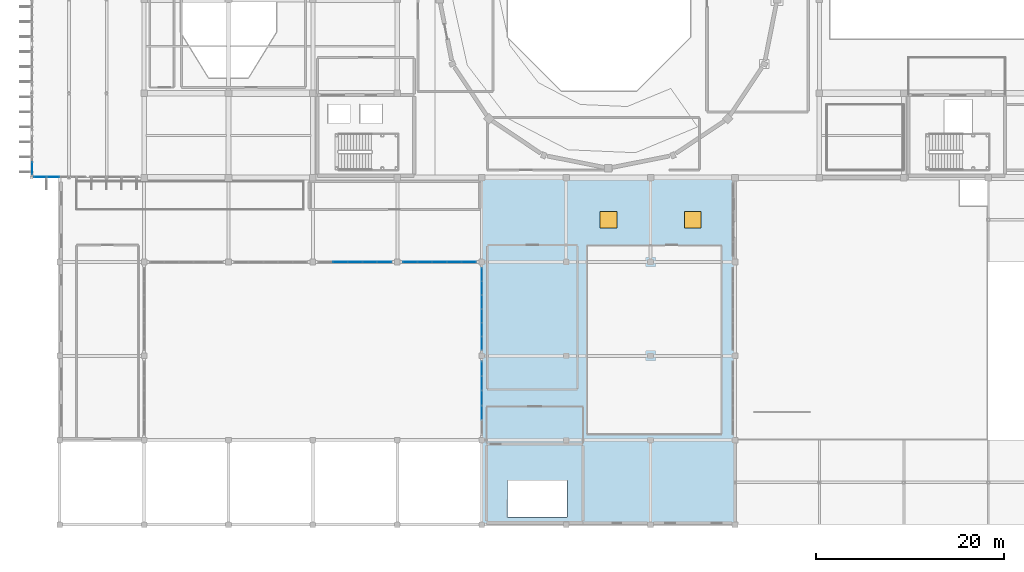
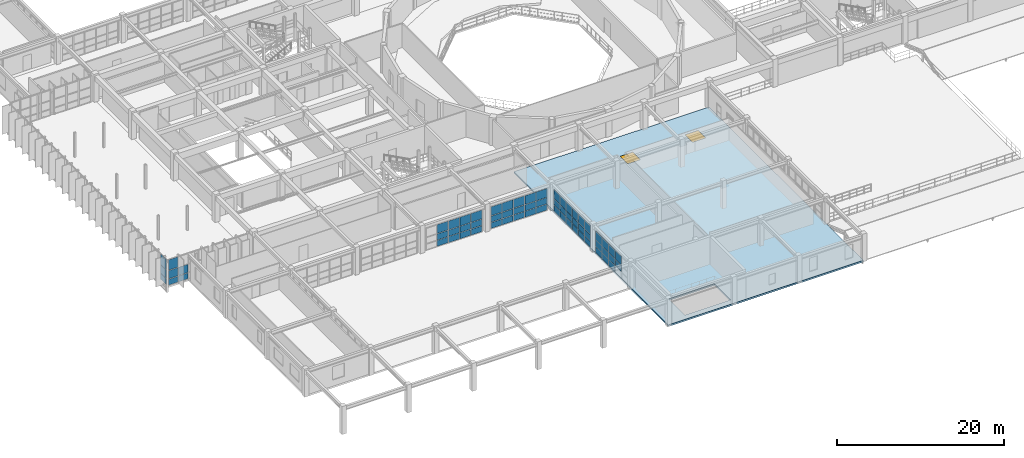
# One storey, part 80 of 110: 64 plates, 2 windows, 1 slab, 2 openings, 6 elements without a shape of their own.
"""IFC4 building model written with IfcOpenShell, lengths in metres."""

from ifc_helpers import new_model, si_unit, direction, frame, origin, origin_2d, place, context, subcontext, project, spatial, polyline, rectangle, outline, extrude, material, layer, layer_set, type_object, element, fill, aggregate, save


model = new_model("IFC4")

# Units and contexts
model_context = context("Model", 3, precision=1e-05, world=origin(), true_north=direction((0.0, 1.0)))
body_context = subcontext(model_context, "Body", "Model", "MODEL_VIEW")
ifc_project = project(units=[si_unit("LENGTHUNIT", "METRE"), si_unit("AREAUNIT", "SQUARE_METRE"), si_unit("VOLUMEUNIT", "CUBIC_METRE"), si_unit("PLANEANGLEUNIT", "RADIAN"), si_unit("MASSUNIT", "GRAM", prefix="KILO")], contexts=[model_context])

# Site, building, storey
site_placement = place(None, origin())
site = spatial("IfcSite", under=ifc_project, at=site_placement, CompositionType="ELEMENT")
building_placement = place(site_placement, origin())
building = spatial("IfcBuilding", under=site, at=building_placement, Name="Miravela Opera House", CompositionType="ELEMENT")
storey_placement = place(building_placement, frame((0.0, 0.0, 13.60009765625)))
storey = spatial("IfcBuildingStorey", under=building, at=storey_placement, Name="L03", CompositionType="ELEMENT", Elevation=13.60009765625)

# Curtain wall, plates
ifc_material_1 = material(Name="Anodised architectural bronze aluminium 6063-T6", Category="aluminium")
curtain_wall_type_1 = type_object("IfcCurtainWallType", Name="ARC-CW-06", PredefinedType="NOTDEFINED", material=ifc_material_1)
curtain_wall_1_placement = place(storey_placement, origin())
curtain_wall_1 = element("IfcCurtainWall", 1, at=curtain_wall_1_placement, inside=storey, type_object=curtain_wall_type_1, Name="Courtyard Arcade Curtain Wall CW-L03-150", PredefinedType="NOTDEFINED")
ifc_material_2 = material(Name="Acoustic laminated low-E insulating glass", Category="glass")
ifc_layer_1 = layer(ifc_material_2, 0.028076171875)
ifc_layer_set_1 = layer_set([ifc_layer_1])
plate_type_1 = type_object("IfcPlateType", Name="ARC-CWP-28", PredefinedType="CURTAIN_PANEL", material=ifc_layer_set_1)
plate_1_placement = place(storey_placement, frame((47.931884765625, 28.0, 0.06005859375), z_axis=(0.0, 0.0, 1.0), x_axis=(1.0, 0.0, 0.0)))
plate_1 = element("IfcPlate", 2, at=plate_1_placement, type_object=plate_type_1, Name="CW-06 panel 2.1", PredefinedType="CURTAIN_PANEL", context=body_context, shape_type="SweptSolid", body=[
    extrude(rectangle(XDim=1.508056640625, YDim=0.028076171875, at=origin_2d()), origin(), (0.0, 0.0, 1.0), 0.860107421875),
])
plate_2_placement = place(storey_placement, frame((47.931884765625, 28.0, 0.97998046875), z_axis=(0.0, 0.0, 1.0), x_axis=(1.0, 0.0, 0.0)))
plate_2 = element("IfcPlate", 3, at=plate_2_placement, type_object=plate_type_1, Name="CW-06 panel 2.2", PredefinedType="CURTAIN_PANEL", context=body_context, shape_type="SweptSolid", body=[
    extrude(rectangle(XDim=1.508056640625, YDim=0.028076171875, at=origin_2d()), origin(), (0.0, 0.0, 1.0), 0.898193359375),
])
plate_3_placement = place(storey_placement, frame((47.931884765625, 28.0, 1.93798828125), z_axis=(0.0, 0.0, 1.0), x_axis=(1.0, 0.0, 0.0)))
plate_3 = element("IfcPlate", 4, at=plate_3_placement, type_object=plate_type_1, Name="CW-06 panel 2.3", PredefinedType="CURTAIN_PANEL", context=body_context, shape_type="SweptSolid", body=[
    extrude(rectangle(XDim=1.508056640625, YDim=0.028076171875, at=origin_2d()), origin(), (0.0, 0.0, 1.0), 1.291748046875),
])
plate_4_placement = place(storey_placement, frame((49.5, 28.0, 0.06005859375), z_axis=(0.0, 0.0, 1.0), x_axis=(1.0, 0.0, 0.0)))
plate_4 = element("IfcPlate", 5, at=plate_4_placement, type_object=plate_type_1, Name="CW-06 panel 3.1", PredefinedType="CURTAIN_PANEL", context=body_context, shape_type="SweptSolid", body=[
    extrude(rectangle(XDim=1.508056640625, YDim=0.028076171875, at=origin_2d()), origin(), (0.0, 0.0, 1.0), 0.860107421875),
])
plate_5_placement = place(storey_placement, frame((49.5, 28.0, 0.97998046875), z_axis=(0.0, 0.0, 1.0), x_axis=(1.0, 0.0, 0.0)))
plate_5 = element("IfcPlate", 6, at=plate_5_placement, type_object=plate_type_1, Name="CW-06 panel 3.2", PredefinedType="CURTAIN_PANEL", context=body_context, shape_type="SweptSolid", body=[
    extrude(rectangle(XDim=1.508056640625, YDim=0.028076171875, at=origin_2d()), origin(), (0.0, 0.0, 1.0), 0.898193359375),
])
plate_6_placement = place(storey_placement, frame((49.5, 28.0, 1.93798828125), z_axis=(0.0, 0.0, 1.0), x_axis=(1.0, 0.0, 0.0)))
plate_6 = element("IfcPlate", 7, at=plate_6_placement, type_object=plate_type_1, Name="CW-06 panel 3.3", PredefinedType="CURTAIN_PANEL", context=body_context, shape_type="SweptSolid", body=[
    extrude(rectangle(XDim=1.508056640625, YDim=0.028076171875, at=origin_2d()), origin(), (0.0, 0.0, 1.0), 1.291748046875),
])
plate_7_placement = place(storey_placement, frame((51.068115234375, 28.0, 0.06005859375), z_axis=(0.0, 0.0, 1.0), x_axis=(1.0, 0.0, 0.0)))
plate_7 = element("IfcPlate", 8, at=plate_7_placement, type_object=plate_type_1, Name="CW-06 panel 4.1", PredefinedType="CURTAIN_PANEL", context=body_context, shape_type="SweptSolid", body=[
    extrude(rectangle(XDim=1.508056640625, YDim=0.028076171875, at=origin_2d()), origin(), (0.0, 0.0, 1.0), 0.860107421875),
])
plate_8_placement = place(storey_placement, frame((51.068115234375, 28.0, 0.97998046875), z_axis=(0.0, 0.0, 1.0), x_axis=(1.0, 0.0, 0.0)))
plate_8 = element("IfcPlate", 9, at=plate_8_placement, type_object=plate_type_1, Name="CW-06 panel 4.2", PredefinedType="CURTAIN_PANEL", context=body_context, shape_type="SweptSolid", body=[
    extrude(rectangle(XDim=1.508056640625, YDim=0.028076171875, at=origin_2d()), origin(), (0.0, 0.0, 1.0), 0.898193359375),
])
plate_9_placement = place(storey_placement, frame((51.068115234375, 28.0, 1.93798828125), z_axis=(0.0, 0.0, 1.0), x_axis=(1.0, 0.0, 0.0)))
plate_9 = element("IfcPlate", 10, at=plate_9_placement, type_object=plate_type_1, Name="CW-06 panel 4.3", PredefinedType="CURTAIN_PANEL", context=body_context, shape_type="SweptSolid", body=[
    extrude(rectangle(XDim=1.508056640625, YDim=0.028076171875, at=origin_2d()), origin(), (0.0, 0.0, 1.0), 1.291748046875),
])
plate_10_placement = place(storey_placement, frame((52.62109375, 28.0, 0.06005859375), z_axis=(0.0, 0.0, 1.0), x_axis=(1.0, 0.0, 0.0)))
plate_10 = element("IfcPlate", 11, at=plate_10_placement, type_object=plate_type_1, Name="CW-06 panel 5.1", PredefinedType="CURTAIN_PANEL", context=body_context, shape_type="SweptSolid", body=[
    extrude(rectangle(XDim=1.47802734375, YDim=0.028076171875, at=origin_2d()), origin(), (0.0, 0.0, 1.0), 0.860107421875),
])
plate_11_placement = place(storey_placement, frame((52.62109375, 28.0, 0.97998046875), z_axis=(0.0, 0.0, 1.0), x_axis=(1.0, 0.0, 0.0)))
plate_11 = element("IfcPlate", 12, at=plate_11_placement, type_object=plate_type_1, Name="CW-06 panel 5.2", PredefinedType="CURTAIN_PANEL", context=body_context, shape_type="SweptSolid", body=[
    extrude(rectangle(XDim=1.47802734375, YDim=0.028076171875, at=origin_2d()), origin(), (0.0, 0.0, 1.0), 0.898193359375),
])
plate_12_placement = place(storey_placement, frame((52.62109375, 28.0, 1.93798828125), z_axis=(0.0, 0.0, 1.0), x_axis=(1.0, 0.0, 0.0)))
plate_12 = element("IfcPlate", 13, at=plate_12_placement, type_object=plate_type_1, Name="CW-06 panel 5.3", PredefinedType="CURTAIN_PANEL", context=body_context, shape_type="SweptSolid", body=[
    extrude(rectangle(XDim=1.47802734375, YDim=0.028076171875, at=origin_2d()), origin(), (0.0, 0.0, 1.0), 1.291748046875),
])
aggregate(curtain_wall_1, [plate_1, plate_2, plate_3, plate_4, plate_5, plate_6, plate_7, plate_8, plate_9, plate_10, plate_11, plate_12])

curtain_wall_2_placement = place(storey_placement, origin())
curtain_wall_2 = element("IfcCurtainWall", 14, at=curtain_wall_2_placement, inside=storey, type_object=curtain_wall_type_1, Name="Courtyard Arcade Curtain Wall CW-L03-151", PredefinedType="NOTDEFINED")
plate_13_placement = place(storey_placement, frame((55.37890625, 28.0, 0.06005859375), z_axis=(0.0, 0.0, 1.0), x_axis=(1.0, 0.0, 0.0)))
plate_13 = element("IfcPlate", 15, at=plate_13_placement, type_object=plate_type_1, Name="CW-06 panel 1.1", PredefinedType="CURTAIN_PANEL", context=body_context, shape_type="SweptSolid", body=[
    extrude(rectangle(XDim=1.47802734375, YDim=0.028076171875, at=origin_2d()), origin(), (0.0, 0.0, 1.0), 0.860107421875),
])
plate_14_placement = place(storey_placement, frame((55.37890625, 28.0, 0.97998046875), z_axis=(0.0, 0.0, 1.0), x_axis=(1.0, 0.0, 0.0)))
plate_14 = element("IfcPlate", 16, at=plate_14_placement, type_object=plate_type_1, Name="CW-06 panel 1.2", PredefinedType="CURTAIN_PANEL", context=body_context, shape_type="SweptSolid", body=[
    extrude(rectangle(XDim=1.47802734375, YDim=0.028076171875, at=origin_2d()), origin(), (0.0, 0.0, 1.0), 0.898193359375),
])
plate_15_placement = place(storey_placement, frame((55.37890625, 28.0, 1.93798828125), z_axis=(0.0, 0.0, 1.0), x_axis=(1.0, 0.0, 0.0)))
plate_15 = element("IfcPlate", 17, at=plate_15_placement, type_object=plate_type_1, Name="CW-06 panel 1.3", PredefinedType="CURTAIN_PANEL", context=body_context, shape_type="SweptSolid", body=[
    extrude(rectangle(XDim=1.47802734375, YDim=0.028076171875, at=origin_2d()), origin(), (0.0, 0.0, 1.0), 1.291748046875),
])
plate_16_placement = place(storey_placement, frame((56.931884765625, 28.0, 0.06005859375), z_axis=(0.0, 0.0, 1.0), x_axis=(1.0, 0.0, 0.0)))
plate_16 = element("IfcPlate", 18, at=plate_16_placement, type_object=plate_type_1, Name="CW-06 panel 2.1", PredefinedType="CURTAIN_PANEL", context=body_context, shape_type="SweptSolid", body=[
    extrude(rectangle(XDim=1.508056640625, YDim=0.028076171875, at=origin_2d()), origin(), (0.0, 0.0, 1.0), 0.860107421875),
])
plate_17_placement = place(storey_placement, frame((56.931884765625, 28.0, 0.97998046875), z_axis=(0.0, 0.0, 1.0), x_axis=(1.0, 0.0, 0.0)))
plate_17 = element("IfcPlate", 19, at=plate_17_placement, type_object=plate_type_1, Name="CW-06 panel 2.2", PredefinedType="CURTAIN_PANEL", context=body_context, shape_type="SweptSolid", body=[
    extrude(rectangle(XDim=1.508056640625, YDim=0.028076171875, at=origin_2d()), origin(), (0.0, 0.0, 1.0), 0.898193359375),
])
plate_18_placement = place(storey_placement, frame((56.931884765625, 28.0, 1.93798828125), z_axis=(0.0, 0.0, 1.0), x_axis=(1.0, 0.0, 0.0)))
plate_18 = element("IfcPlate", 20, at=plate_18_placement, type_object=plate_type_1, Name="CW-06 panel 2.3", PredefinedType="CURTAIN_PANEL", context=body_context, shape_type="SweptSolid", body=[
    extrude(rectangle(XDim=1.508056640625, YDim=0.028076171875, at=origin_2d()), origin(), (0.0, 0.0, 1.0), 1.291748046875),
])
plate_19_placement = place(storey_placement, frame((58.5, 28.0, 0.06005859375), z_axis=(0.0, 0.0, 1.0), x_axis=(1.0, 0.0, 0.0)))
plate_19 = element("IfcPlate", 21, at=plate_19_placement, type_object=plate_type_1, Name="CW-06 panel 3.1", PredefinedType="CURTAIN_PANEL", context=body_context, shape_type="SweptSolid", body=[
    extrude(rectangle(XDim=1.508056640625, YDim=0.028076171875, at=origin_2d()), origin(), (0.0, 0.0, 1.0), 0.860107421875),
])
plate_20_placement = place(storey_placement, frame((58.5, 28.0, 0.97998046875), z_axis=(0.0, 0.0, 1.0), x_axis=(1.0, 0.0, 0.0)))
plate_20 = element("IfcPlate", 22, at=plate_20_placement, type_object=plate_type_1, Name="CW-06 panel 3.2", PredefinedType="CURTAIN_PANEL", context=body_context, shape_type="SweptSolid", body=[
    extrude(rectangle(XDim=1.508056640625, YDim=0.028076171875, at=origin_2d()), origin(), (0.0, 0.0, 1.0), 0.898193359375),
])
plate_21_placement = place(storey_placement, frame((58.5, 28.0, 1.93798828125), z_axis=(0.0, 0.0, 1.0), x_axis=(1.0, 0.0, 0.0)))
plate_21 = element("IfcPlate", 23, at=plate_21_placement, type_object=plate_type_1, Name="CW-06 panel 3.3", PredefinedType="CURTAIN_PANEL", context=body_context, shape_type="SweptSolid", body=[
    extrude(rectangle(XDim=1.508056640625, YDim=0.028076171875, at=origin_2d()), origin(), (0.0, 0.0, 1.0), 1.291748046875),
])
plate_22_placement = place(storey_placement, frame((60.068115234375, 28.0, 0.06005859375), z_axis=(0.0, 0.0, 1.0), x_axis=(1.0, 0.0, 0.0)))
plate_22 = element("IfcPlate", 24, at=plate_22_placement, type_object=plate_type_1, Name="CW-06 panel 4.1", PredefinedType="CURTAIN_PANEL", context=body_context, shape_type="SweptSolid", body=[
    extrude(rectangle(XDim=1.508056640625, YDim=0.028076171875, at=origin_2d()), origin(), (0.0, 0.0, 1.0), 0.860107421875),
])
plate_23_placement = place(storey_placement, frame((60.068115234375, 28.0, 0.97998046875), z_axis=(0.0, 0.0, 1.0), x_axis=(1.0, 0.0, 0.0)))
plate_23 = element("IfcPlate", 25, at=plate_23_placement, type_object=plate_type_1, Name="CW-06 panel 4.2", PredefinedType="CURTAIN_PANEL", context=body_context, shape_type="SweptSolid", body=[
    extrude(rectangle(XDim=1.508056640625, YDim=0.028076171875, at=origin_2d()), origin(), (0.0, 0.0, 1.0), 0.898193359375),
])
plate_24_placement = place(storey_placement, frame((60.068115234375, 28.0, 1.93798828125), z_axis=(0.0, 0.0, 1.0), x_axis=(1.0, 0.0, 0.0)))
plate_24 = element("IfcPlate", 26, at=plate_24_placement, type_object=plate_type_1, Name="CW-06 panel 4.3", PredefinedType="CURTAIN_PANEL", context=body_context, shape_type="SweptSolid", body=[
    extrude(rectangle(XDim=1.508056640625, YDim=0.028076171875, at=origin_2d()), origin(), (0.0, 0.0, 1.0), 1.291748046875),
])
plate_25_placement = place(storey_placement, frame((61.62109375, 28.0, 0.06005859375), z_axis=(0.0, 0.0, 1.0), x_axis=(1.0, 0.0, 0.0)))
plate_25 = element("IfcPlate", 27, at=plate_25_placement, type_object=plate_type_1, Name="CW-06 panel 5.1", PredefinedType="CURTAIN_PANEL", context=body_context, shape_type="SweptSolid", body=[
    extrude(rectangle(XDim=1.47802734375, YDim=0.028076171875, at=origin_2d()), origin(), (0.0, 0.0, 1.0), 0.860107421875),
])
plate_26_placement = place(storey_placement, frame((61.62109375, 28.0, 0.97998046875), z_axis=(0.0, 0.0, 1.0), x_axis=(1.0, 0.0, 0.0)))
plate_26 = element("IfcPlate", 28, at=plate_26_placement, type_object=plate_type_1, Name="CW-06 panel 5.2", PredefinedType="CURTAIN_PANEL", context=body_context, shape_type="SweptSolid", body=[
    extrude(rectangle(XDim=1.47802734375, YDim=0.028076171875, at=origin_2d()), origin(), (0.0, 0.0, 1.0), 0.898193359375),
])
plate_27_placement = place(storey_placement, frame((61.62109375, 28.0, 1.93798828125), z_axis=(0.0, 0.0, 1.0), x_axis=(1.0, 0.0, 0.0)))
plate_27 = element("IfcPlate", 29, at=plate_27_placement, type_object=plate_type_1, Name="CW-06 panel 5.3", PredefinedType="CURTAIN_PANEL", context=body_context, shape_type="SweptSolid", body=[
    extrude(rectangle(XDim=1.47802734375, YDim=0.028076171875, at=origin_2d()), origin(), (0.0, 0.0, 1.0), 1.291748046875),
])
aggregate(curtain_wall_2, [plate_13, plate_14, plate_15, plate_16, plate_17, plate_18, plate_19, plate_20, plate_21, plate_22, plate_23, plate_24, plate_25, plate_26, plate_27])

curtain_wall_3_placement = place(storey_placement, origin())
curtain_wall_3 = element("IfcCurtainWall", 30, at=curtain_wall_3_placement, inside=storey, type_object=curtain_wall_type_1, Name="Courtyard Arcade Curtain Wall CW-L03-154", PredefinedType="NOTDEFINED")
plate_28_placement = place(storey_placement, frame((63.0, 11.931884765625, 0.97998046875), z_axis=(0.0, 0.0, 1.0), x_axis=(0.0, 1.0, 0.0)))
plate_28 = element("IfcPlate", 31, at=plate_28_placement, type_object=plate_type_1, Name="CW-06 panel 2.2", PredefinedType="CURTAIN_PANEL", context=body_context, shape_type="SweptSolid", body=[
    extrude(rectangle(XDim=1.508056640625, YDim=0.028076171875, at=origin_2d()), origin(), (0.0, 0.0, 1.0), 0.898193359375),
])
plate_29_placement = place(storey_placement, frame((63.0, 11.931884765625, 1.93798828125), z_axis=(0.0, 0.0, 1.0), x_axis=(0.0, 1.0, 0.0)))
plate_29 = element("IfcPlate", 32, at=plate_29_placement, type_object=plate_type_1, Name="CW-06 panel 2.3", PredefinedType="CURTAIN_PANEL", context=body_context, shape_type="SweptSolid", body=[
    extrude(rectangle(XDim=1.508056640625, YDim=0.028076171875, at=origin_2d()), origin(), (0.0, 0.0, 1.0), 1.291748046875),
])
plate_30_placement = place(storey_placement, frame((63.0, 13.5, 0.06005859375), z_axis=(0.0, 0.0, 1.0), x_axis=(0.0, 1.0, 0.0)))
plate_30 = element("IfcPlate", 33, at=plate_30_placement, type_object=plate_type_1, Name="CW-06 panel 3.1", PredefinedType="CURTAIN_PANEL", context=body_context, shape_type="SweptSolid", body=[
    extrude(rectangle(XDim=1.508056640625, YDim=0.028076171875, at=origin_2d()), origin(), (0.0, 0.0, 1.0), 0.860107421875),
])
plate_31_placement = place(storey_placement, frame((63.0, 13.5, 0.97998046875), z_axis=(0.0, 0.0, 1.0), x_axis=(0.0, 1.0, 0.0)))
plate_31 = element("IfcPlate", 34, at=plate_31_placement, type_object=plate_type_1, Name="CW-06 panel 3.2", PredefinedType="CURTAIN_PANEL", context=body_context, shape_type="SweptSolid", body=[
    extrude(rectangle(XDim=1.508056640625, YDim=0.028076171875, at=origin_2d()), origin(), (0.0, 0.0, 1.0), 0.898193359375),
])
plate_32_placement = place(storey_placement, frame((63.0, 13.5, 1.93798828125), z_axis=(0.0, 0.0, 1.0), x_axis=(0.0, 1.0, 0.0)))
plate_32 = element("IfcPlate", 35, at=plate_32_placement, type_object=plate_type_1, Name="CW-06 panel 3.3", PredefinedType="CURTAIN_PANEL", context=body_context, shape_type="SweptSolid", body=[
    extrude(rectangle(XDim=1.508056640625, YDim=0.028076171875, at=origin_2d()), origin(), (0.0, 0.0, 1.0), 1.291748046875),
])
plate_33_placement = place(storey_placement, frame((63.0, 15.068115234375, 0.06005859375), z_axis=(0.0, 0.0, 1.0), x_axis=(0.0, 1.0, 0.0)))
plate_33 = element("IfcPlate", 36, at=plate_33_placement, type_object=plate_type_1, Name="CW-06 panel 4.1", PredefinedType="CURTAIN_PANEL", context=body_context, shape_type="SweptSolid", body=[
    extrude(rectangle(XDim=1.508056640625, YDim=0.028076171875, at=origin_2d()), origin(), (0.0, 0.0, 1.0), 0.860107421875),
])
plate_34_placement = place(storey_placement, frame((63.0, 15.068115234375, 0.97998046875), z_axis=(0.0, 0.0, 1.0), x_axis=(0.0, 1.0, 0.0)))
plate_34 = element("IfcPlate", 37, at=plate_34_placement, type_object=plate_type_1, Name="CW-06 panel 4.2", PredefinedType="CURTAIN_PANEL", context=body_context, shape_type="SweptSolid", body=[
    extrude(rectangle(XDim=1.508056640625, YDim=0.028076171875, at=origin_2d()), origin(), (0.0, 0.0, 1.0), 0.898193359375),
])
plate_35_placement = place(storey_placement, frame((63.0, 15.068115234375, 1.93798828125), z_axis=(0.0, 0.0, 1.0), x_axis=(0.0, 1.0, 0.0)))
plate_35 = element("IfcPlate", 38, at=plate_35_placement, type_object=plate_type_1, Name="CW-06 panel 4.3", PredefinedType="CURTAIN_PANEL", context=body_context, shape_type="SweptSolid", body=[
    extrude(rectangle(XDim=1.508056640625, YDim=0.028076171875, at=origin_2d()), origin(), (0.0, 0.0, 1.0), 1.291748046875),
])
plate_36_placement = place(storey_placement, frame((63.0, 16.62109375, 0.06005859375), z_axis=(0.0, 0.0, 1.0), x_axis=(0.0, 1.0, 0.0)))
plate_36 = element("IfcPlate", 39, at=plate_36_placement, type_object=plate_type_1, Name="CW-06 panel 5.1", PredefinedType="CURTAIN_PANEL", context=body_context, shape_type="SweptSolid", body=[
    extrude(rectangle(XDim=1.47802734375, YDim=0.028076171875, at=origin_2d()), origin(), (0.0, 0.0, 1.0), 0.860107421875),
])
plate_37_placement = place(storey_placement, frame((63.0, 16.62109375, 0.97998046875), z_axis=(0.0, 0.0, 1.0), x_axis=(0.0, 1.0, 0.0)))
plate_37 = element("IfcPlate", 40, at=plate_37_placement, type_object=plate_type_1, Name="CW-06 panel 5.2", PredefinedType="CURTAIN_PANEL", context=body_context, shape_type="SweptSolid", body=[
    extrude(rectangle(XDim=1.47802734375, YDim=0.028076171875, at=origin_2d()), origin(), (0.0, 0.0, 1.0), 0.898193359375),
])
plate_38_placement = place(storey_placement, frame((63.0, 16.62109375, 1.93798828125), z_axis=(0.0, 0.0, 1.0), x_axis=(0.0, 1.0, 0.0)))
plate_38 = element("IfcPlate", 41, at=plate_38_placement, type_object=plate_type_1, Name="CW-06 panel 5.3", PredefinedType="CURTAIN_PANEL", context=body_context, shape_type="SweptSolid", body=[
    extrude(rectangle(XDim=1.47802734375, YDim=0.028076171875, at=origin_2d()), origin(), (0.0, 0.0, 1.0), 1.291748046875),
])
aggregate(curtain_wall_3, [plate_28, plate_29, plate_30, plate_31, plate_32, plate_33, plate_34, plate_35, plate_36, plate_37, plate_38])

curtain_wall_4_placement = place(storey_placement, origin())
curtain_wall_4 = element("IfcCurtainWall", 42, at=curtain_wall_4_placement, inside=storey, type_object=curtain_wall_type_1, Name="Courtyard Arcade Curtain Wall CW-L03-155", PredefinedType="NOTDEFINED")
plate_39_placement = place(storey_placement, frame((63.0, 19.331787109375, 0.06005859375), z_axis=(0.0, 0.0, 1.0), x_axis=(0.0, 1.0, 0.0)))
plate_39 = element("IfcPlate", 43, at=plate_39_placement, type_object=plate_type_1, Name="CW-06 panel 1.1", PredefinedType="CURTAIN_PANEL", context=body_context, shape_type="SweptSolid", body=[
    extrude(rectangle(XDim=1.38330078125, YDim=0.028076171875, at=origin_2d()), origin(), (0.0, 0.0, 1.0), 0.860107421875),
])
plate_40_placement = place(storey_placement, frame((63.0, 19.331787109375, 0.97998046875), z_axis=(0.0, 0.0, 1.0), x_axis=(0.0, 1.0, 0.0)))
plate_40 = element("IfcPlate", 44, at=plate_40_placement, type_object=plate_type_1, Name="CW-06 panel 1.2", PredefinedType="CURTAIN_PANEL", context=body_context, shape_type="SweptSolid", body=[
    extrude(rectangle(XDim=1.38330078125, YDim=0.028076171875, at=origin_2d()), origin(), (0.0, 0.0, 1.0), 0.898193359375),
])
plate_41_placement = place(storey_placement, frame((63.0, 19.331787109375, 1.93798828125), z_axis=(0.0, 0.0, 1.0), x_axis=(0.0, 1.0, 0.0)))
plate_41 = element("IfcPlate", 45, at=plate_41_placement, type_object=plate_type_1, Name="CW-06 panel 1.3", PredefinedType="CURTAIN_PANEL", context=body_context, shape_type="SweptSolid", body=[
    extrude(rectangle(XDim=1.38330078125, YDim=0.028076171875, at=origin_2d()), origin(), (0.0, 0.0, 1.0), 1.291748046875),
])
plate_42_placement = place(storey_placement, frame((63.0, 20.7900390625, 0.06005859375), z_axis=(0.0, 0.0, 1.0), x_axis=(0.0, 1.0, 0.0)))
plate_42 = element("IfcPlate", 46, at=plate_42_placement, type_object=plate_type_1, Name="CW-06 panel 2.1", PredefinedType="CURTAIN_PANEL", context=body_context, shape_type="SweptSolid", body=[
    extrude(rectangle(XDim=1.413330078125, YDim=0.028076171875, at=origin_2d()), origin(), (0.0, 0.0, 1.0), 0.860107421875),
])
plate_43_placement = place(storey_placement, frame((63.0, 20.7900390625, 0.97998046875), z_axis=(0.0, 0.0, 1.0), x_axis=(0.0, 1.0, 0.0)))
plate_43 = element("IfcPlate", 47, at=plate_43_placement, type_object=plate_type_1, Name="CW-06 panel 2.2", PredefinedType="CURTAIN_PANEL", context=body_context, shape_type="SweptSolid", body=[
    extrude(rectangle(XDim=1.413330078125, YDim=0.028076171875, at=origin_2d()), origin(), (0.0, 0.0, 1.0), 0.898193359375),
])
plate_44_placement = place(storey_placement, frame((63.0, 20.7900390625, 1.93798828125), z_axis=(0.0, 0.0, 1.0), x_axis=(0.0, 1.0, 0.0)))
plate_44 = element("IfcPlate", 48, at=plate_44_placement, type_object=plate_type_1, Name="CW-06 panel 2.3", PredefinedType="CURTAIN_PANEL", context=body_context, shape_type="SweptSolid", body=[
    extrude(rectangle(XDim=1.413330078125, YDim=0.028076171875, at=origin_2d()), origin(), (0.0, 0.0, 1.0), 1.291748046875),
])
plate_45_placement = place(storey_placement, frame((63.0, 22.263427734375, 0.06005859375), z_axis=(0.0, 0.0, 1.0), x_axis=(0.0, 1.0, 0.0)))
plate_45 = element("IfcPlate", 49, at=plate_45_placement, type_object=plate_type_1, Name="CW-06 panel 3.1", PredefinedType="CURTAIN_PANEL", context=body_context, shape_type="SweptSolid", body=[
    extrude(rectangle(XDim=1.413330078125, YDim=0.028076171875, at=origin_2d()), origin(), (0.0, 0.0, 1.0), 0.860107421875),
])
plate_46_placement = place(storey_placement, frame((63.0, 22.263427734375, 0.97998046875), z_axis=(0.0, 0.0, 1.0), x_axis=(0.0, 1.0, 0.0)))
plate_46 = element("IfcPlate", 50, at=plate_46_placement, type_object=plate_type_1, Name="CW-06 panel 3.2", PredefinedType="CURTAIN_PANEL", context=body_context, shape_type="SweptSolid", body=[
    extrude(rectangle(XDim=1.413330078125, YDim=0.028076171875, at=origin_2d()), origin(), (0.0, 0.0, 1.0), 0.898193359375),
])
plate_47_placement = place(storey_placement, frame((63.0, 22.263427734375, 1.93798828125), z_axis=(0.0, 0.0, 1.0), x_axis=(0.0, 1.0, 0.0)))
plate_47 = element("IfcPlate", 51, at=plate_47_placement, type_object=plate_type_1, Name="CW-06 panel 3.3", PredefinedType="CURTAIN_PANEL", context=body_context, shape_type="SweptSolid", body=[
    extrude(rectangle(XDim=1.413330078125, YDim=0.028076171875, at=origin_2d()), origin(), (0.0, 0.0, 1.0), 1.291748046875),
])
plate_48_placement = place(storey_placement, frame((63.0, 23.736572265625, 0.06005859375), z_axis=(0.0, 0.0, 1.0), x_axis=(0.0, 1.0, 0.0)))
plate_48 = element("IfcPlate", 52, at=plate_48_placement, type_object=plate_type_1, Name="CW-06 panel 4.1", PredefinedType="CURTAIN_PANEL", context=body_context, shape_type="SweptSolid", body=[
    extrude(rectangle(XDim=1.413330078125, YDim=0.028076171875, at=origin_2d()), origin(), (0.0, 0.0, 1.0), 0.860107421875),
])
plate_49_placement = place(storey_placement, frame((63.0, 23.736572265625, 0.97998046875), z_axis=(0.0, 0.0, 1.0), x_axis=(0.0, 1.0, 0.0)))
plate_49 = element("IfcPlate", 53, at=plate_49_placement, type_object=plate_type_1, Name="CW-06 panel 4.2", PredefinedType="CURTAIN_PANEL", context=body_context, shape_type="SweptSolid", body=[
    extrude(rectangle(XDim=1.413330078125, YDim=0.028076171875, at=origin_2d()), origin(), (0.0, 0.0, 1.0), 0.898193359375),
])
plate_50_placement = place(storey_placement, frame((63.0, 23.736572265625, 1.93798828125), z_axis=(0.0, 0.0, 1.0), x_axis=(0.0, 1.0, 0.0)))
plate_50 = element("IfcPlate", 54, at=plate_50_placement, type_object=plate_type_1, Name="CW-06 panel 4.3", PredefinedType="CURTAIN_PANEL", context=body_context, shape_type="SweptSolid", body=[
    extrude(rectangle(XDim=1.413330078125, YDim=0.028076171875, at=origin_2d()), origin(), (0.0, 0.0, 1.0), 1.291748046875),
])
plate_51_placement = place(storey_placement, frame((63.0, 25.2099609375, 0.06005859375), z_axis=(0.0, 0.0, 1.0), x_axis=(0.0, 1.0, 0.0)))
plate_51 = element("IfcPlate", 55, at=plate_51_placement, type_object=plate_type_1, Name="CW-06 panel 5.1", PredefinedType="CURTAIN_PANEL", context=body_context, shape_type="SweptSolid", body=[
    extrude(rectangle(XDim=1.413330078125, YDim=0.028076171875, at=origin_2d()), origin(), (0.0, 0.0, 1.0), 0.860107421875),
])
plate_52_placement = place(storey_placement, frame((63.0, 25.2099609375, 0.97998046875), z_axis=(0.0, 0.0, 1.0), x_axis=(0.0, 1.0, 0.0)))
plate_52 = element("IfcPlate", 56, at=plate_52_placement, type_object=plate_type_1, Name="CW-06 panel 5.2", PredefinedType="CURTAIN_PANEL", context=body_context, shape_type="SweptSolid", body=[
    extrude(rectangle(XDim=1.413330078125, YDim=0.028076171875, at=origin_2d()), origin(), (0.0, 0.0, 1.0), 0.898193359375),
])
plate_53_placement = place(storey_placement, frame((63.0, 25.2099609375, 1.93798828125), z_axis=(0.0, 0.0, 1.0), x_axis=(0.0, 1.0, 0.0)))
plate_53 = element("IfcPlate", 57, at=plate_53_placement, type_object=plate_type_1, Name="CW-06 panel 5.3", PredefinedType="CURTAIN_PANEL", context=body_context, shape_type="SweptSolid", body=[
    extrude(rectangle(XDim=1.413330078125, YDim=0.028076171875, at=origin_2d()), origin(), (0.0, 0.0, 1.0), 1.291748046875),
])
plate_54_placement = place(storey_placement, frame((63.0, 26.668212890625, 0.06005859375), z_axis=(0.0, 0.0, 1.0), x_axis=(0.0, 1.0, 0.0)))
plate_54 = element("IfcPlate", 58, at=plate_54_placement, type_object=plate_type_1, Name="CW-06 panel 6.1", PredefinedType="CURTAIN_PANEL", context=body_context, shape_type="SweptSolid", body=[
    extrude(rectangle(XDim=1.38330078125, YDim=0.028076171875, at=origin_2d()), origin(), (0.0, 0.0, 1.0), 0.860107421875),
])
plate_55_placement = place(storey_placement, frame((63.0, 26.668212890625, 0.97998046875), z_axis=(0.0, 0.0, 1.0), x_axis=(0.0, 1.0, 0.0)))
plate_55 = element("IfcPlate", 59, at=plate_55_placement, type_object=plate_type_1, Name="CW-06 panel 6.2", PredefinedType="CURTAIN_PANEL", context=body_context, shape_type="SweptSolid", body=[
    extrude(rectangle(XDim=1.38330078125, YDim=0.028076171875, at=origin_2d()), origin(), (0.0, 0.0, 1.0), 0.898193359375),
])
plate_56_placement = place(storey_placement, frame((63.0, 26.668212890625, 1.93798828125), z_axis=(0.0, 0.0, 1.0), x_axis=(0.0, 1.0, 0.0)))
plate_56 = element("IfcPlate", 60, at=plate_56_placement, type_object=plate_type_1, Name="CW-06 panel 6.3", PredefinedType="CURTAIN_PANEL", context=body_context, shape_type="SweptSolid", body=[
    extrude(rectangle(XDim=1.38330078125, YDim=0.028076171875, at=origin_2d()), origin(), (0.0, 0.0, 1.0), 1.291748046875),
])
aggregate(curtain_wall_4, [plate_39, plate_40, plate_41, plate_42, plate_43, plate_44, plate_45, plate_46, plate_47, plate_48, plate_49, plate_50, plate_51, plate_52, plate_53, plate_54, plate_55, plate_56])

curtain_wall_type_2 = type_object("IfcCurtainWallType", Name="ARC-CW-02", PredefinedType="NOTDEFINED", material=ifc_material_1)
curtain_wall_5_placement = place(storey_placement, origin())
curtain_wall_5 = element("IfcCurtainWall", 61, at=curtain_wall_5_placement, inside=storey, type_object=curtain_wall_type_2, Name="Cantilever West Wrapper Glazing B1 CW-L03-015", PredefinedType="NOTDEFINED")
ifc_material_3 = material(Name="Triple-glazed acoustic laminated low-E glass", Category="glass")
ifc_layer_2 = layer(ifc_material_3, 0.035888671875)
ifc_layer_set_2 = layer_set([ifc_layer_2])
plate_type_2 = type_object("IfcPlateType", Name="ARC-CWP-36", PredefinedType="CURTAIN_PANEL", material=ifc_layer_set_2)
plate_57_placement = place(storey_placement, frame((15.080078125, 37.99462890625, 0.06494140625), z_axis=(0.0, 0.0, 1.0), x_axis=(0.0, 1.0, 0.0)))
plate_57 = element("IfcPlate", 62, at=plate_57_placement, type_object=plate_type_2, Name="CW-02 panel 1.1", PredefinedType="CURTAIN_PANEL", context=body_context, shape_type="SweptSolid", body=[
    extrude(rectangle(XDim=1.299072265625, YDim=0.035888671875, at=origin_2d()), origin(), (0.0, 0.0, 1.0), 0.8525390625),
])
plate_58_placement = place(storey_placement, frame((15.080078125, 37.99462890625, 0.982421875), z_axis=(0.0, 0.0, 1.0), x_axis=(0.0, 1.0, 0.0)))
plate_58 = element("IfcPlate", 63, at=plate_58_placement, type_object=plate_type_2, Name="CW-02 panel 1.2", PredefinedType="CURTAIN_PANEL", context=body_context, shape_type="SweptSolid", body=[
    extrude(rectangle(XDim=1.299072265625, YDim=0.035888671875, at=origin_2d()), origin(), (0.0, 0.0, 1.0), 1.20068359375),
])
plate_59_placement = place(storey_placement, frame((15.080078125, 37.99462890625, 2.248046875), z_axis=(0.0, 0.0, 1.0), x_axis=(0.0, 1.0, 0.0)))
plate_59 = element("IfcPlate", 64, at=plate_59_placement, type_object=plate_type_2, Name="CW-02 panel 1.3", PredefinedType="CURTAIN_PANEL", context=body_context, shape_type="SweptSolid", body=[
    extrude(rectangle(XDim=1.299072265625, YDim=0.035888671875, at=origin_2d()), origin(), (0.0, 0.0, 1.0), 1.5068359375),
])
aggregate(curtain_wall_5, [plate_57, plate_58, plate_59])

curtain_wall_6_placement = place(storey_placement, origin())
curtain_wall_6 = element("IfcCurtainWall", 65, at=curtain_wall_6_placement, inside=storey, type_object=curtain_wall_type_2, Name="Auditorium South Wrapper Glazing CW-L03-024", PredefinedType="NOTDEFINED")
plate_60_placement = place(storey_placement, frame((15.916259765625, 37.080078125, 0.06494140625), z_axis=(0.0, 0.0, 1.0), x_axis=(1.0, 0.0, 0.0)))
plate_60 = element("IfcPlate", 66, at=plate_60_placement, type_object=plate_type_2, Name="CW-02 panel 1.1", PredefinedType="CURTAIN_PANEL", context=body_context, shape_type="SweptSolid", body=[
    extrude(rectangle(XDim=1.302490234375, YDim=0.035888671875, at=origin_2d()), origin(), (0.0, 0.0, 1.0), 0.8525390625),
])
plate_61_placement = place(storey_placement, frame((15.916259765625, 37.080078125, 0.982421875), z_axis=(0.0, 0.0, 1.0), x_axis=(1.0, 0.0, 0.0)))
plate_61 = element("IfcPlate", 67, at=plate_61_placement, type_object=plate_type_2, Name="CW-02 panel 1.2", PredefinedType="CURTAIN_PANEL", context=body_context, shape_type="SweptSolid", body=[
    extrude(rectangle(XDim=1.302490234375, YDim=0.035888671875, at=origin_2d()), origin(), (0.0, 0.0, 1.0), 1.20068359375),
])
plate_62_placement = place(storey_placement, frame((15.916259765625, 37.080078125, 2.248046875), z_axis=(0.0, 0.0, 1.0), x_axis=(1.0, 0.0, 0.0)))
plate_62 = element("IfcPlate", 68, at=plate_62_placement, type_object=plate_type_2, Name="CW-02 panel 1.3", PredefinedType="CURTAIN_PANEL", context=body_context, shape_type="SweptSolid", body=[
    extrude(rectangle(XDim=1.302490234375, YDim=0.035888671875, at=origin_2d()), origin(), (0.0, 0.0, 1.0), 1.5068359375),
])
plate_63_placement = place(storey_placement, frame((17.300048828125, 37.080078125, 0.06494140625), z_axis=(0.0, 0.0, 1.0), x_axis=(1.0, 0.0, 0.0)))
plate_63 = element("IfcPlate", 69, at=plate_63_placement, type_object=plate_type_2, Name="CW-02 panel 2.1", PredefinedType="CURTAIN_PANEL", context=body_context, shape_type="SweptSolid", body=[
    extrude(rectangle(XDim=1.3349609375, YDim=0.035888671875, at=origin_2d()), origin(), (0.0, 0.0, 1.0), 0.8525390625),
])
plate_64_placement = place(storey_placement, frame((17.300048828125, 37.080078125, 0.982421875), z_axis=(0.0, 0.0, 1.0), x_axis=(1.0, 0.0, 0.0)))
plate_64 = element("IfcPlate", 70, at=plate_64_placement, type_object=plate_type_2, Name="CW-02 panel 2.2", PredefinedType="CURTAIN_PANEL", context=body_context, shape_type="SweptSolid", body=[
    extrude(rectangle(XDim=1.3349609375, YDim=0.035888671875, at=origin_2d()), origin(), (0.0, 0.0, 1.0), 1.20068359375),
])
aggregate(curtain_wall_6, [plate_60, plate_61, plate_62, plate_63, plate_64])

# Slab, openings, windows
ifc_material_4 = material(Name="Concrete C35/45", Category="concrete")
ifc_layer_3 = layer(ifc_material_4, 0.239990234375)
ifc_layer_set_3 = layer_set([ifc_layer_3])
slab_type = type_object("IfcSlabType", Name="STR-SLAB-FLR-240", PredefinedType="FLOOR", material=ifc_layer_set_3)
slab_placement = place(storey_placement, frame((0.0, 0.0, -0.239990234375)))
slab = element("IfcSlab", 71, at=slab_placement, inside=storey, type_object=slab_type, Name="Level L03 Floor Slab SLAB-L03-V4M", PredefinedType="FLOOR", context=body_context, shape_type="SweptSolid", body=[
    extrude(outline(polyline([(63.0, 0.0), (90.0, 0.0), (90.0, 37.0), (63.0, 37.0), (63.0, 0.0)]), holes=[polyline([(65.739990234375, 0.800048828125), (72.10009765625, 0.800048828125), (72.10009765625, 4.679931640625), (65.739990234375, 4.679931640625), (65.739990234375, 0.800048828125)])]), origin(), (0.0, 0.0, 1.0), 0.239990234375),
])
opening_1_placement = place(slab_placement, frame((76.5, 32.5, -0.010009765625)))
opening_1 = element("IfcOpeningElement", 72, at=opening_1_placement, cuts=slab, Name="Opening SK-04", PredefinedType="OPENING", context=body_context, shape_type="SweptSolid", body=[
    extrude(rectangle(XDim=1.800048828125, YDim=1.800048828125, at=origin_2d()), origin(), (0.0, 0.0, 1.0), 0.260009765625),
])
opening_2_placement = place(slab_placement, frame((85.5, 32.5, -0.010009765625)))
opening_2 = element("IfcOpeningElement", 73, at=opening_2_placement, cuts=slab, Name="Opening SK-04", PredefinedType="OPENING", context=body_context, shape_type="SweptSolid", body=[
    extrude(rectangle(XDim=1.800048828125, YDim=1.800048828125, at=origin_2d()), origin(), (0.0, 0.0, 1.0), 0.260009765625),
])
ifc_material_5 = material(Name="Bronze-anodised aluminium and acoustic low-E glass", Category="aluminium")
window_type = type_object("IfcWindowType", Name="ARC-SKY-04", PartitioningType="SINGLE_PANEL", PredefinedType="SKYLIGHT", material=ifc_material_5)
window_1_placement = place(slab_placement, frame((76.5, 32.5, 0.18994140625)))
window_1 = element("IfcWindow", 74, at=window_1_placement, inside=storey, type_object=window_type, Name="Acoustic Roof Skylight 07", OverallHeight=1.800048828125, OverallWidth=1.800048828125, PartitioningType="SINGLE_PANEL", PredefinedType="SKYLIGHT", context=body_context, shape_type="SweptSolid", body=[
    extrude(rectangle(XDim=1.800048828125, YDim=1.800048828125, at=origin_2d()), origin(), (0.0, 0.0, 1.0), 0.050048828125),
])
fill(opening_1, window_1)
window_2_placement = place(slab_placement, frame((85.5, 32.5, 0.18994140625)))
window_2 = element("IfcWindow", 75, at=window_2_placement, inside=storey, type_object=window_type, Name="Acoustic Roof Skylight 08", OverallHeight=1.800048828125, OverallWidth=1.800048828125, PartitioningType="SINGLE_PANEL", PredefinedType="SKYLIGHT", context=body_context, shape_type="SweptSolid", body=[
    extrude(rectangle(XDim=1.800048828125, YDim=1.800048828125, at=origin_2d()), origin(), (0.0, 0.0, 1.0), 0.050048828125),
])
fill(opening_2, window_2)

save(model, "model.ifc")
